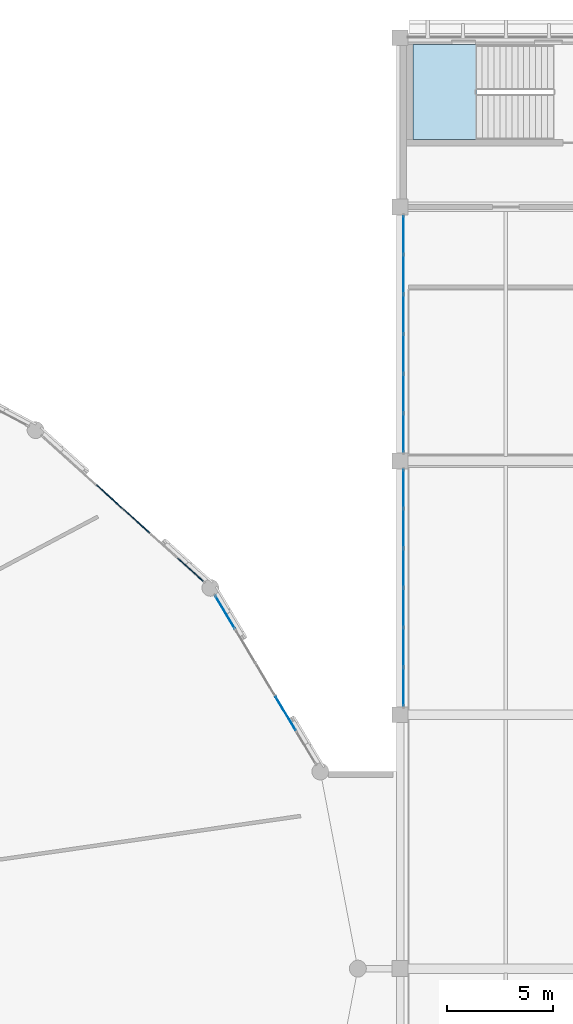
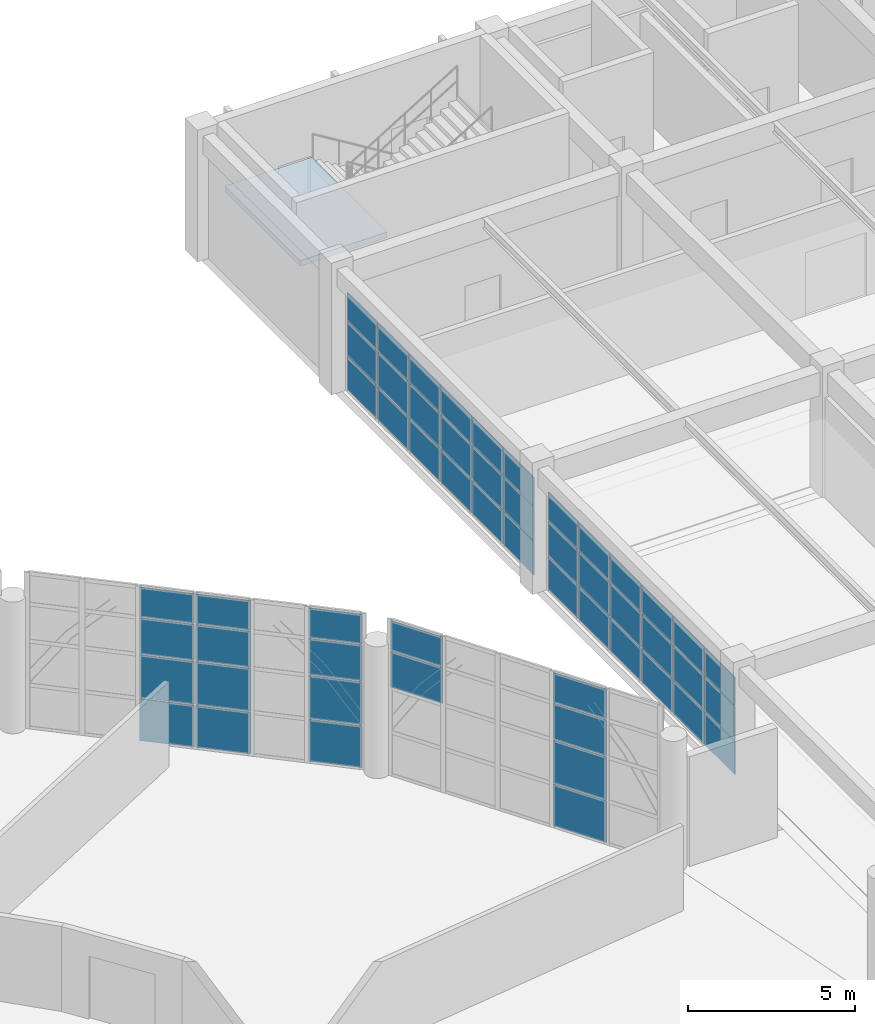
# One storey, part 73 of 109: 54 plates, 1 slab, 5 elements without a shape of their own.
"""IFC4 building model written with IfcOpenShell, lengths in metres."""

from ifc_helpers import new_model, si_unit, direction, frame, origin, origin_2d, place, context, subcontext, project, spatial, polyline, rectangle, outline, extrude, material, layer, layer_set, type_object, element, aggregate, save


model = new_model("IFC4")

# Units and contexts
model_context = context("Model", 3, precision=1e-05, world=origin(), true_north=direction((0.0, 1.0)))
body_context = subcontext(model_context, "Body", "Model", "MODEL_VIEW")
ifc_project = project(units=[si_unit("LENGTHUNIT", "METRE"), si_unit("AREAUNIT", "SQUARE_METRE"), si_unit("VOLUMEUNIT", "CUBIC_METRE"), si_unit("PLANEANGLEUNIT", "RADIAN"), si_unit("MASSUNIT", "GRAM", prefix="KILO")], contexts=[model_context])

# Site, building, storey
site_placement = place(None, origin())
site = spatial("IfcSite", under=ifc_project, at=site_placement, CompositionType="ELEMENT")
building_placement = place(site_placement, origin())
building = spatial("IfcBuilding", under=site, at=building_placement, Name="Kivolera Central Railway Station", CompositionType="ELEMENT")
storey_placement = place(building_placement, frame((0.0, 0.0, 9.60009765625)))
storey = spatial("IfcBuildingStorey", under=building, at=storey_placement, Name="L02", CompositionType="ELEMENT", Elevation=9.60009765625)

# Curtain wall, plates
ifc_material_1 = material(Name="Anodised aluminium", Category="aluminium")
ifc_layer_1 = layer(ifc_material_1, 0.179931640625, Name="Anodised aluminium")
ifc_layer_set_1 = layer_set([ifc_layer_1], Name="Anodised aluminium")
curtain_wall_type_1 = type_object("IfcCurtainWallType", Name="CW-SYS-28", PredefinedType="NOTDEFINED", material=ifc_layer_set_1)
curtain_wall_1_placement = place(storey_placement, origin())
curtain_wall_1 = element("IfcCurtainWall", 1, at=curtain_wall_1_placement, inside=storey, type_object=curtain_wall_type_1, Name="L02 Curtain Wall CW-L02-WEST-J", PredefinedType="NOTDEFINED")
ifc_material_2 = material(Name="Double low-E laminated glass", Category="glass")
ifc_layer_2 = layer(ifc_material_2, 0.030029296875, Name="Double low-E laminated glass")
ifc_layer_set_2 = layer_set([ifc_layer_2], Name="Double low-E laminated glass")
plate_type_1 = type_object("IfcPlateType", Name="CWP-GLZ-2", PredefinedType="CURTAIN_PANEL", material=ifc_layer_set_2)
plate_1_placement = place(storey_placement, frame((118.153076171875, 103.325927734375, 0.057861328125), z_axis=(0.0, 0.0, 1.0), x_axis=(0.0, 1.0, 0.0)))
plate_1 = element("IfcPlate", 2, at=plate_1_placement, type_object=plate_type_1, Name="CW-28 panel 1.1", PredefinedType="CURTAIN_PANEL", context=body_context, shape_type="SweptSolid", body=[
    extrude(rectangle(XDim=1.795654296875, YDim=0.030029296875, at=origin_2d()), origin(), (0.0, 0.0, 1.0), 1.19921875),
])
plate_2_placement = place(storey_placement, frame((118.153076171875, 103.325927734375, 1.30322265625), z_axis=(0.0, 0.0, 1.0), x_axis=(0.0, 1.0, 0.0)))
plate_2 = element("IfcPlate", 3, at=plate_2_placement, type_object=plate_type_1, Name="CW-28 panel 1.2", PredefinedType="CURTAIN_PANEL", context=body_context, shape_type="SweptSolid", body=[
    extrude(rectangle(XDim=1.795654296875, YDim=0.030029296875, at=origin_2d()), origin(), (0.0, 0.0, 1.0), 1.234375),
])
plate_3_placement = place(storey_placement, frame((118.153076171875, 103.325927734375, 2.58349609375), z_axis=(0.0, 0.0, 1.0), x_axis=(0.0, 1.0, 0.0)))
plate_3 = element("IfcPlate", 4, at=plate_3_placement, type_object=plate_type_1, Name="CW-28 panel 1.3", PredefinedType="CURTAIN_PANEL", context=body_context, shape_type="SweptSolid", body=[
    extrude(rectangle(XDim=1.795654296875, YDim=0.030029296875, at=origin_2d()), origin(), (0.0, 0.0, 1.0), 1.016357421875),
])
plate_4_placement = place(storey_placement, frame((118.153076171875, 105.18505859375, 0.057861328125), z_axis=(0.0, 0.0, 1.0), x_axis=(0.0, 1.0, 0.0)))
plate_4 = element("IfcPlate", 5, at=plate_4_placement, type_object=plate_type_1, Name="CW-28 panel 2.1", PredefinedType="CURTAIN_PANEL", context=body_context, shape_type="SweptSolid", body=[
    extrude(rectangle(XDim=1.83056640625, YDim=0.030029296875, at=origin_2d()), origin(), (0.0, 0.0, 1.0), 1.19921875),
])
plate_5_placement = place(storey_placement, frame((118.153076171875, 105.18505859375, 1.30322265625), z_axis=(0.0, 0.0, 1.0), x_axis=(0.0, 1.0, 0.0)))
plate_5 = element("IfcPlate", 6, at=plate_5_placement, type_object=plate_type_1, Name="CW-28 panel 2.2", PredefinedType="CURTAIN_PANEL", context=body_context, shape_type="SweptSolid", body=[
    extrude(rectangle(XDim=1.83056640625, YDim=0.030029296875, at=origin_2d()), origin(), (0.0, 0.0, 1.0), 1.234375),
])
plate_6_placement = place(storey_placement, frame((118.153076171875, 105.18505859375, 2.58349609375), z_axis=(0.0, 0.0, 1.0), x_axis=(0.0, 1.0, 0.0)))
plate_6 = element("IfcPlate", 7, at=plate_6_placement, type_object=plate_type_1, Name="CW-28 panel 2.3", PredefinedType="CURTAIN_PANEL", context=body_context, shape_type="SweptSolid", body=[
    extrude(rectangle(XDim=1.83056640625, YDim=0.030029296875, at=origin_2d()), origin(), (0.0, 0.0, 1.0), 1.016357421875),
])
plate_7_placement = place(storey_placement, frame((118.153076171875, 107.061767578125, 0.057861328125), z_axis=(0.0, 0.0, 1.0), x_axis=(0.0, 1.0, 0.0)))
plate_7 = element("IfcPlate", 8, at=plate_7_placement, type_object=plate_type_1, Name="CW-28 panel 3.1", PredefinedType="CURTAIN_PANEL", context=body_context, shape_type="SweptSolid", body=[
    extrude(rectangle(XDim=1.83056640625, YDim=0.030029296875, at=origin_2d()), origin(), (0.0, 0.0, 1.0), 1.19921875),
])
plate_8_placement = place(storey_placement, frame((118.153076171875, 107.061767578125, 1.30322265625), z_axis=(0.0, 0.0, 1.0), x_axis=(0.0, 1.0, 0.0)))
plate_8 = element("IfcPlate", 9, at=plate_8_placement, type_object=plate_type_1, Name="CW-28 panel 3.2", PredefinedType="CURTAIN_PANEL", context=body_context, shape_type="SweptSolid", body=[
    extrude(rectangle(XDim=1.83056640625, YDim=0.030029296875, at=origin_2d()), origin(), (0.0, 0.0, 1.0), 1.234375),
])
plate_9_placement = place(storey_placement, frame((118.153076171875, 107.061767578125, 2.58349609375), z_axis=(0.0, 0.0, 1.0), x_axis=(0.0, 1.0, 0.0)))
plate_9 = element("IfcPlate", 10, at=plate_9_placement, type_object=plate_type_1, Name="CW-28 panel 3.3", PredefinedType="CURTAIN_PANEL", context=body_context, shape_type="SweptSolid", body=[
    extrude(rectangle(XDim=1.83056640625, YDim=0.030029296875, at=origin_2d()), origin(), (0.0, 0.0, 1.0), 1.016357421875),
])
plate_10_placement = place(storey_placement, frame((118.153076171875, 108.938232421875, 0.057861328125), z_axis=(0.0, 0.0, 1.0), x_axis=(0.0, 1.0, 0.0)))
plate_10 = element("IfcPlate", 11, at=plate_10_placement, type_object=plate_type_1, Name="CW-28 panel 4.1", PredefinedType="CURTAIN_PANEL", context=body_context, shape_type="SweptSolid", body=[
    extrude(rectangle(XDim=1.83056640625, YDim=0.030029296875, at=origin_2d()), origin(), (0.0, 0.0, 1.0), 1.19921875),
])
plate_11_placement = place(storey_placement, frame((118.153076171875, 108.938232421875, 1.30322265625), z_axis=(0.0, 0.0, 1.0), x_axis=(0.0, 1.0, 0.0)))
plate_11 = element("IfcPlate", 12, at=plate_11_placement, type_object=plate_type_1, Name="CW-28 panel 4.2", PredefinedType="CURTAIN_PANEL", context=body_context, shape_type="SweptSolid", body=[
    extrude(rectangle(XDim=1.83056640625, YDim=0.030029296875, at=origin_2d()), origin(), (0.0, 0.0, 1.0), 1.234375),
])
plate_12_placement = place(storey_placement, frame((118.153076171875, 108.938232421875, 2.58349609375), z_axis=(0.0, 0.0, 1.0), x_axis=(0.0, 1.0, 0.0)))
plate_12 = element("IfcPlate", 13, at=plate_12_placement, type_object=plate_type_1, Name="CW-28 panel 4.3", PredefinedType="CURTAIN_PANEL", context=body_context, shape_type="SweptSolid", body=[
    extrude(rectangle(XDim=1.83056640625, YDim=0.030029296875, at=origin_2d()), origin(), (0.0, 0.0, 1.0), 1.016357421875),
])
plate_13_placement = place(storey_placement, frame((118.153076171875, 110.81494140625, 0.057861328125), z_axis=(0.0, 0.0, 1.0), x_axis=(0.0, 1.0, 0.0)))
plate_13 = element("IfcPlate", 14, at=plate_13_placement, type_object=plate_type_1, Name="CW-28 panel 5.1", PredefinedType="CURTAIN_PANEL", context=body_context, shape_type="SweptSolid", body=[
    extrude(rectangle(XDim=1.83056640625, YDim=0.030029296875, at=origin_2d()), origin(), (0.0, 0.0, 1.0), 1.19921875),
])
plate_14_placement = place(storey_placement, frame((118.153076171875, 110.81494140625, 1.30322265625), z_axis=(0.0, 0.0, 1.0), x_axis=(0.0, 1.0, 0.0)))
plate_14 = element("IfcPlate", 15, at=plate_14_placement, type_object=plate_type_1, Name="CW-28 panel 5.2", PredefinedType="CURTAIN_PANEL", context=body_context, shape_type="SweptSolid", body=[
    extrude(rectangle(XDim=1.83056640625, YDim=0.030029296875, at=origin_2d()), origin(), (0.0, 0.0, 1.0), 1.234375),
])
plate_15_placement = place(storey_placement, frame((118.153076171875, 110.81494140625, 2.58349609375), z_axis=(0.0, 0.0, 1.0), x_axis=(0.0, 1.0, 0.0)))
plate_15 = element("IfcPlate", 16, at=plate_15_placement, type_object=plate_type_1, Name="CW-28 panel 5.3", PredefinedType="CURTAIN_PANEL", context=body_context, shape_type="SweptSolid", body=[
    extrude(rectangle(XDim=1.83056640625, YDim=0.030029296875, at=origin_2d()), origin(), (0.0, 0.0, 1.0), 1.016357421875),
])
plate_16_placement = place(storey_placement, frame((118.153076171875, 112.674072265625, 0.057861328125), z_axis=(0.0, 0.0, 1.0), x_axis=(0.0, 1.0, 0.0)))
plate_16 = element("IfcPlate", 17, at=plate_16_placement, type_object=plate_type_1, Name="CW-28 panel 6.1", PredefinedType="CURTAIN_PANEL", context=body_context, shape_type="SweptSolid", body=[
    extrude(rectangle(XDim=1.795654296875, YDim=0.030029296875, at=origin_2d()), origin(), (0.0, 0.0, 1.0), 1.19921875),
])
plate_17_placement = place(storey_placement, frame((118.153076171875, 112.674072265625, 1.30322265625), z_axis=(0.0, 0.0, 1.0), x_axis=(0.0, 1.0, 0.0)))
plate_17 = element("IfcPlate", 18, at=plate_17_placement, type_object=plate_type_1, Name="CW-28 panel 6.2", PredefinedType="CURTAIN_PANEL", context=body_context, shape_type="SweptSolid", body=[
    extrude(rectangle(XDim=1.795654296875, YDim=0.030029296875, at=origin_2d()), origin(), (0.0, 0.0, 1.0), 1.234375),
])
plate_18_placement = place(storey_placement, frame((118.153076171875, 112.674072265625, 2.58349609375), z_axis=(0.0, 0.0, 1.0), x_axis=(0.0, 1.0, 0.0)))
plate_18 = element("IfcPlate", 19, at=plate_18_placement, type_object=plate_type_1, Name="CW-28 panel 6.3", PredefinedType="CURTAIN_PANEL", context=body_context, shape_type="SweptSolid", body=[
    extrude(rectangle(XDim=1.795654296875, YDim=0.030029296875, at=origin_2d()), origin(), (0.0, 0.0, 1.0), 1.016357421875),
])
aggregate(curtain_wall_1, [plate_1, plate_2, plate_3, plate_4, plate_5, plate_6, plate_7, plate_8, plate_9, plate_10, plate_11, plate_12, plate_13, plate_14, plate_15, plate_16, plate_17, plate_18])

curtain_wall_2_placement = place(storey_placement, origin())
curtain_wall_2 = element("IfcCurtainWall", 20, at=curtain_wall_2_placement, inside=storey, type_object=curtain_wall_type_1, Name="L02 Curtain Wall CW-L02-WEST-K", PredefinedType="NOTDEFINED")
plate_19_placement = place(storey_placement, frame((118.153076171875, 115.325927734375, 0.057861328125), z_axis=(0.0, 0.0, 1.0), x_axis=(0.0, 1.0, 0.0)))
plate_19 = element("IfcPlate", 21, at=plate_19_placement, type_object=plate_type_1, Name="CW-28 panel 1.1", PredefinedType="CURTAIN_PANEL", context=body_context, shape_type="SweptSolid", body=[
    extrude(rectangle(XDim=1.795654296875, YDim=0.030029296875, at=origin_2d()), origin(), (0.0, 0.0, 1.0), 1.19921875),
])
plate_20_placement = place(storey_placement, frame((118.153076171875, 115.325927734375, 1.30322265625), z_axis=(0.0, 0.0, 1.0), x_axis=(0.0, 1.0, 0.0)))
plate_20 = element("IfcPlate", 22, at=plate_20_placement, type_object=plate_type_1, Name="CW-28 panel 1.2", PredefinedType="CURTAIN_PANEL", context=body_context, shape_type="SweptSolid", body=[
    extrude(rectangle(XDim=1.795654296875, YDim=0.030029296875, at=origin_2d()), origin(), (0.0, 0.0, 1.0), 1.234375),
])
plate_21_placement = place(storey_placement, frame((118.153076171875, 115.325927734375, 2.58349609375), z_axis=(0.0, 0.0, 1.0), x_axis=(0.0, 1.0, 0.0)))
plate_21 = element("IfcPlate", 23, at=plate_21_placement, type_object=plate_type_1, Name="CW-28 panel 1.3", PredefinedType="CURTAIN_PANEL", context=body_context, shape_type="SweptSolid", body=[
    extrude(rectangle(XDim=1.795654296875, YDim=0.030029296875, at=origin_2d()), origin(), (0.0, 0.0, 1.0), 1.016357421875),
])
plate_22_placement = place(storey_placement, frame((118.153076171875, 117.18505859375, 0.057861328125), z_axis=(0.0, 0.0, 1.0), x_axis=(0.0, 1.0, 0.0)))
plate_22 = element("IfcPlate", 24, at=plate_22_placement, type_object=plate_type_1, Name="CW-28 panel 2.1", PredefinedType="CURTAIN_PANEL", context=body_context, shape_type="SweptSolid", body=[
    extrude(rectangle(XDim=1.83056640625, YDim=0.030029296875, at=origin_2d()), origin(), (0.0, 0.0, 1.0), 1.19921875),
])
plate_23_placement = place(storey_placement, frame((118.153076171875, 117.18505859375, 1.30322265625), z_axis=(0.0, 0.0, 1.0), x_axis=(0.0, 1.0, 0.0)))
plate_23 = element("IfcPlate", 25, at=plate_23_placement, type_object=plate_type_1, Name="CW-28 panel 2.2", PredefinedType="CURTAIN_PANEL", context=body_context, shape_type="SweptSolid", body=[
    extrude(rectangle(XDim=1.83056640625, YDim=0.030029296875, at=origin_2d()), origin(), (0.0, 0.0, 1.0), 1.234375),
])
plate_24_placement = place(storey_placement, frame((118.153076171875, 117.18505859375, 2.58349609375), z_axis=(0.0, 0.0, 1.0), x_axis=(0.0, 1.0, 0.0)))
plate_24 = element("IfcPlate", 26, at=plate_24_placement, type_object=plate_type_1, Name="CW-28 panel 2.3", PredefinedType="CURTAIN_PANEL", context=body_context, shape_type="SweptSolid", body=[
    extrude(rectangle(XDim=1.83056640625, YDim=0.030029296875, at=origin_2d()), origin(), (0.0, 0.0, 1.0), 1.016357421875),
])
plate_25_placement = place(storey_placement, frame((118.153076171875, 119.061767578125, 0.057861328125), z_axis=(0.0, 0.0, 1.0), x_axis=(0.0, 1.0, 0.0)))
plate_25 = element("IfcPlate", 27, at=plate_25_placement, type_object=plate_type_1, Name="CW-28 panel 3.1", PredefinedType="CURTAIN_PANEL", context=body_context, shape_type="SweptSolid", body=[
    extrude(rectangle(XDim=1.83056640625, YDim=0.030029296875, at=origin_2d()), origin(), (0.0, 0.0, 1.0), 1.19921875),
])
plate_26_placement = place(storey_placement, frame((118.153076171875, 119.061767578125, 1.30322265625), z_axis=(0.0, 0.0, 1.0), x_axis=(0.0, 1.0, 0.0)))
plate_26 = element("IfcPlate", 28, at=plate_26_placement, type_object=plate_type_1, Name="CW-28 panel 3.2", PredefinedType="CURTAIN_PANEL", context=body_context, shape_type="SweptSolid", body=[
    extrude(rectangle(XDim=1.83056640625, YDim=0.030029296875, at=origin_2d()), origin(), (0.0, 0.0, 1.0), 1.234375),
])
plate_27_placement = place(storey_placement, frame((118.153076171875, 119.061767578125, 2.58349609375), z_axis=(0.0, 0.0, 1.0), x_axis=(0.0, 1.0, 0.0)))
plate_27 = element("IfcPlate", 29, at=plate_27_placement, type_object=plate_type_1, Name="CW-28 panel 3.3", PredefinedType="CURTAIN_PANEL", context=body_context, shape_type="SweptSolid", body=[
    extrude(rectangle(XDim=1.83056640625, YDim=0.030029296875, at=origin_2d()), origin(), (0.0, 0.0, 1.0), 1.016357421875),
])
plate_28_placement = place(storey_placement, frame((118.153076171875, 120.938232421875, 0.057861328125), z_axis=(0.0, 0.0, 1.0), x_axis=(0.0, 1.0, 0.0)))
plate_28 = element("IfcPlate", 30, at=plate_28_placement, type_object=plate_type_1, Name="CW-28 panel 4.1", PredefinedType="CURTAIN_PANEL", context=body_context, shape_type="SweptSolid", body=[
    extrude(rectangle(XDim=1.83056640625, YDim=0.030029296875, at=origin_2d()), origin(), (0.0, 0.0, 1.0), 1.19921875),
])
plate_29_placement = place(storey_placement, frame((118.153076171875, 120.938232421875, 1.30322265625), z_axis=(0.0, 0.0, 1.0), x_axis=(0.0, 1.0, 0.0)))
plate_29 = element("IfcPlate", 31, at=plate_29_placement, type_object=plate_type_1, Name="CW-28 panel 4.2", PredefinedType="CURTAIN_PANEL", context=body_context, shape_type="SweptSolid", body=[
    extrude(rectangle(XDim=1.83056640625, YDim=0.030029296875, at=origin_2d()), origin(), (0.0, 0.0, 1.0), 1.234375),
])
plate_30_placement = place(storey_placement, frame((118.153076171875, 120.938232421875, 2.58349609375), z_axis=(0.0, 0.0, 1.0), x_axis=(0.0, 1.0, 0.0)))
plate_30 = element("IfcPlate", 32, at=plate_30_placement, type_object=plate_type_1, Name="CW-28 panel 4.3", PredefinedType="CURTAIN_PANEL", context=body_context, shape_type="SweptSolid", body=[
    extrude(rectangle(XDim=1.83056640625, YDim=0.030029296875, at=origin_2d()), origin(), (0.0, 0.0, 1.0), 1.016357421875),
])
plate_31_placement = place(storey_placement, frame((118.153076171875, 122.81494140625, 0.057861328125), z_axis=(0.0, 0.0, 1.0), x_axis=(0.0, 1.0, 0.0)))
plate_31 = element("IfcPlate", 33, at=plate_31_placement, type_object=plate_type_1, Name="CW-28 panel 5.1", PredefinedType="CURTAIN_PANEL", context=body_context, shape_type="SweptSolid", body=[
    extrude(rectangle(XDim=1.83056640625, YDim=0.030029296875, at=origin_2d()), origin(), (0.0, 0.0, 1.0), 1.19921875),
])
plate_32_placement = place(storey_placement, frame((118.153076171875, 122.81494140625, 1.30322265625), z_axis=(0.0, 0.0, 1.0), x_axis=(0.0, 1.0, 0.0)))
plate_32 = element("IfcPlate", 34, at=plate_32_placement, type_object=plate_type_1, Name="CW-28 panel 5.2", PredefinedType="CURTAIN_PANEL", context=body_context, shape_type="SweptSolid", body=[
    extrude(rectangle(XDim=1.83056640625, YDim=0.030029296875, at=origin_2d()), origin(), (0.0, 0.0, 1.0), 1.234375),
])
plate_33_placement = place(storey_placement, frame((118.153076171875, 122.81494140625, 2.58349609375), z_axis=(0.0, 0.0, 1.0), x_axis=(0.0, 1.0, 0.0)))
plate_33 = element("IfcPlate", 35, at=plate_33_placement, type_object=plate_type_1, Name="CW-28 panel 5.3", PredefinedType="CURTAIN_PANEL", context=body_context, shape_type="SweptSolid", body=[
    extrude(rectangle(XDim=1.83056640625, YDim=0.030029296875, at=origin_2d()), origin(), (0.0, 0.0, 1.0), 1.016357421875),
])
plate_34_placement = place(storey_placement, frame((118.153076171875, 124.674072265625, 0.057861328125), z_axis=(0.0, 0.0, 1.0), x_axis=(0.0, 1.0, 0.0)))
plate_34 = element("IfcPlate", 36, at=plate_34_placement, type_object=plate_type_1, Name="CW-28 panel 6.1", PredefinedType="CURTAIN_PANEL", context=body_context, shape_type="SweptSolid", body=[
    extrude(rectangle(XDim=1.795654296875, YDim=0.030029296875, at=origin_2d()), origin(), (0.0, 0.0, 1.0), 1.19921875),
])
plate_35_placement = place(storey_placement, frame((118.153076171875, 124.674072265625, 1.30322265625), z_axis=(0.0, 0.0, 1.0), x_axis=(0.0, 1.0, 0.0)))
plate_35 = element("IfcPlate", 37, at=plate_35_placement, type_object=plate_type_1, Name="CW-28 panel 6.2", PredefinedType="CURTAIN_PANEL", context=body_context, shape_type="SweptSolid", body=[
    extrude(rectangle(XDim=1.795654296875, YDim=0.030029296875, at=origin_2d()), origin(), (0.0, 0.0, 1.0), 1.234375),
])
plate_36_placement = place(storey_placement, frame((118.153076171875, 124.674072265625, 2.58349609375), z_axis=(0.0, 0.0, 1.0), x_axis=(0.0, 1.0, 0.0)))
plate_36 = element("IfcPlate", 38, at=plate_36_placement, type_object=plate_type_1, Name="CW-28 panel 6.3", PredefinedType="CURTAIN_PANEL", context=body_context, shape_type="SweptSolid", body=[
    extrude(rectangle(XDim=1.795654296875, YDim=0.030029296875, at=origin_2d()), origin(), (0.0, 0.0, 1.0), 1.016357421875),
])
aggregate(curtain_wall_2, [plate_19, plate_20, plate_21, plate_22, plate_23, plate_24, plate_25, plate_26, plate_27, plate_28, plate_29, plate_30, plate_31, plate_32, plate_33, plate_34, plate_35, plate_36])

ifc_layer_3 = layer(ifc_material_1, 0.179931640625, Name="Anodised aluminium")
ifc_layer_set_3 = layer_set([ifc_layer_3], Name="Anodised aluminium")
curtain_wall_type_2 = type_object("IfcCurtainWallType", Name="CW-SYS-03", PredefinedType="NOTDEFINED", material=ifc_layer_set_3)
curtain_wall_3_placement = place(storey_placement, origin())
curtain_wall_3 = element("IfcCurtainWall", 39, at=curtain_wall_3_placement, inside=storey, type_object=curtain_wall_type_2, Name="L02 Curtain Wall CW-L02-OVL-01", PredefinedType="NOTDEFINED")
ifc_layer_4 = layer(ifc_material_2, 0.0380859375, Name="Double low-E laminated glass")
ifc_layer_set_4 = layer_set([ifc_layer_4], Name="Double low-E laminated glass")
plate_type_2 = type_object("IfcPlateType", Name="CWP-GLZ-4", PredefinedType="CURTAIN_PANEL", material=ifc_layer_set_4)
plate_37_placement = place(storey_placement, frame((109.7255859375, 106.84228515625, 3.22314453125), z_axis=(0.0, 0.0, 1.0), x_axis=(0.513453894052, -0.858117182372, 0.0)))
plate_37 = element("IfcPlate", 40, at=plate_37_placement, type_object=plate_type_2, Name="CW-03 panel 1.3", PredefinedType="CURTAIN_PANEL", context=body_context, shape_type="SweptSolid", body=[
    extrude(rectangle(XDim=1.782958984375, YDim=0.0380859375, at=origin_2d()), origin(), (0.0, 0.0, 1.0), 1.303955078125),
])
plate_38_placement = place(storey_placement, frame((109.7255859375, 106.84228515625, 4.57275390625), z_axis=(0.0, 0.0, 1.0), x_axis=(0.513453894052, -0.858117182372, 0.0)))
plate_38 = element("IfcPlate", 41, at=plate_38_placement, type_object=plate_type_2, Name="CW-03 panel 1.4", PredefinedType="CURTAIN_PANEL", context=body_context, shape_type="SweptSolid", body=[
    extrude(rectangle(XDim=1.782958984375, YDim=0.0380859375, at=origin_2d()), origin(), (0.0, 0.0, 1.0), 1.069091796875),
])
plate_39_placement = place(storey_placement, frame((112.58740234375, 102.05908203125, 0.057861328125), z_axis=(0.0, 0.0, 1.0), x_axis=(0.513453894052, -0.858117182372, 0.0)))
plate_39 = element("IfcPlate", 42, at=plate_39_placement, type_object=plate_type_2, Name="CW-03 panel 4.1", PredefinedType="CURTAIN_PANEL", context=body_context, shape_type="SweptSolid", body=[
    extrude(rectangle(XDim=1.81787109375, YDim=0.0380859375, at=origin_2d()), origin(), (0.0, 0.0, 1.0), 1.51904296875),
])
plate_40_placement = place(storey_placement, frame((112.58740234375, 102.05908203125, 1.623046875), z_axis=(0.0, 0.0, 1.0), x_axis=(0.513453894052, -0.858117182372, 0.0)))
plate_40 = element("IfcPlate", 43, at=plate_40_placement, type_object=plate_type_2, Name="CW-03 panel 4.2", PredefinedType="CURTAIN_PANEL", context=body_context, shape_type="SweptSolid", body=[
    extrude(rectangle(XDim=1.81787109375, YDim=0.0380859375, at=origin_2d()), origin(), (0.0, 0.0, 1.0), 1.553955078125),
])
plate_41_placement = place(storey_placement, frame((112.58740234375, 102.05908203125, 3.22314453125), z_axis=(0.0, 0.0, 1.0), x_axis=(0.513453894052, -0.858117182372, 0.0)))
plate_41 = element("IfcPlate", 44, at=plate_41_placement, type_object=plate_type_2, Name="CW-03 panel 4.3", PredefinedType="CURTAIN_PANEL", context=body_context, shape_type="SweptSolid", body=[
    extrude(rectangle(XDim=1.81787109375, YDim=0.0380859375, at=origin_2d()), origin(), (0.0, 0.0, 1.0), 1.303955078125),
])
plate_42_placement = place(storey_placement, frame((112.58740234375, 102.05908203125, 4.57275390625), z_axis=(0.0, 0.0, 1.0), x_axis=(0.513453894052, -0.858117182372, 0.0)))
plate_42 = element("IfcPlate", 45, at=plate_42_placement, type_object=plate_type_2, Name="CW-03 panel 4.4", PredefinedType="CURTAIN_PANEL", context=body_context, shape_type="SweptSolid", body=[
    extrude(rectangle(XDim=1.81787109375, YDim=0.0380859375, at=origin_2d()), origin(), (0.0, 0.0, 1.0), 1.069091796875),
])
aggregate(curtain_wall_3, [plate_37, plate_38, plate_39, plate_40, plate_41, plate_42])

ifc_layer_5 = layer(ifc_material_1, 0.179931640625, Name="Anodised aluminium")
ifc_layer_set_5 = layer_set([ifc_layer_5], Name="Anodised aluminium")
curtain_wall_type_3 = type_object("IfcCurtainWallType", Name="CW-SYS-06", PredefinedType="NOTDEFINED", material=ifc_layer_set_5)
curtain_wall_4_placement = place(storey_placement, origin())
curtain_wall_4 = element("IfcCurtainWall", 46, at=curtain_wall_4_placement, inside=storey, type_object=curtain_wall_type_3, Name="L02 Curtain Wall CW-L02-OVL-02", PredefinedType="NOTDEFINED")
ifc_layer_6 = layer(ifc_material_2, 0.0419921875, Name="Double low-E laminated glass")
ifc_layer_set_6 = layer_set([ifc_layer_6], Name="Double low-E laminated glass")
plate_type_3 = type_object("IfcPlateType", Name="CWP-GLZ-5", PredefinedType="CURTAIN_PANEL", material=ifc_layer_set_6)
plate_43_placement = place(storey_placement, frame((104.262451171875, 112.3046875, 0.057861328125), z_axis=(0.0, 0.0, 1.0), x_axis=(0.742431873669, -0.669921572246, 0.0)))
plate_43 = element("IfcPlate", 47, at=plate_43_placement, type_object=plate_type_3, Name="CW-06 panel 3.1", PredefinedType="CURTAIN_PANEL", context=body_context, shape_type="SweptSolid", body=[
    extrude(rectangle(XDim=1.675537109375, YDim=0.0419921875, at=origin_2d()), origin(), (0.0, 0.0, 1.0), 1.51904296875),
])
plate_44_placement = place(storey_placement, frame((104.262451171875, 112.3046875, 1.623046875), z_axis=(0.0, 0.0, 1.0), x_axis=(0.742431873669, -0.669921572246, 0.0)))
plate_44 = element("IfcPlate", 48, at=plate_44_placement, type_object=plate_type_3, Name="CW-06 panel 3.2", PredefinedType="CURTAIN_PANEL", context=body_context, shape_type="SweptSolid", body=[
    extrude(rectangle(XDim=1.675537109375, YDim=0.0419921875, at=origin_2d()), origin(), (0.0, 0.0, 1.0), 1.553955078125),
])
plate_45_placement = place(storey_placement, frame((104.262451171875, 112.3046875, 3.22314453125), z_axis=(0.0, 0.0, 1.0), x_axis=(0.742431873669, -0.669921572246, 0.0)))
plate_45 = element("IfcPlate", 49, at=plate_45_placement, type_object=plate_type_3, Name="CW-06 panel 3.3", PredefinedType="CURTAIN_PANEL", context=body_context, shape_type="SweptSolid", body=[
    extrude(rectangle(XDim=1.675537109375, YDim=0.0419921875, at=origin_2d()), origin(), (0.0, 0.0, 1.0), 1.303955078125),
])
plate_46_placement = place(storey_placement, frame((104.262451171875, 112.3046875, 4.57275390625), z_axis=(0.0, 0.0, 1.0), x_axis=(0.742431873669, -0.669921572246, 0.0)))
plate_46 = element("IfcPlate", 50, at=plate_46_placement, type_object=plate_type_3, Name="CW-06 panel 3.4", PredefinedType="CURTAIN_PANEL", context=body_context, shape_type="SweptSolid", body=[
    extrude(rectangle(XDim=1.675537109375, YDim=0.0419921875, at=origin_2d()), origin(), (0.0, 0.0, 1.0), 1.069091796875),
])
plate_47_placement = place(storey_placement, frame((105.54052734375, 111.1513671875, 0.057861328125), z_axis=(0.0, 0.0, 1.0), x_axis=(0.742431873669, -0.669921572246, 0.0)))
plate_47 = element("IfcPlate", 51, at=plate_47_placement, type_object=plate_type_3, Name="CW-06 panel 4.1", PredefinedType="CURTAIN_PANEL", context=body_context, shape_type="SweptSolid", body=[
    extrude(rectangle(XDim=1.675537109375, YDim=0.0419921875, at=origin_2d()), origin(), (0.0, 0.0, 1.0), 1.51904296875),
])
plate_48_placement = place(storey_placement, frame((105.54052734375, 111.1513671875, 1.623046875), z_axis=(0.0, 0.0, 1.0), x_axis=(0.742431873669, -0.669921572246, 0.0)))
plate_48 = element("IfcPlate", 52, at=plate_48_placement, type_object=plate_type_3, Name="CW-06 panel 4.2", PredefinedType="CURTAIN_PANEL", context=body_context, shape_type="SweptSolid", body=[
    extrude(rectangle(XDim=1.675537109375, YDim=0.0419921875, at=origin_2d()), origin(), (0.0, 0.0, 1.0), 1.553955078125),
])
plate_49_placement = place(storey_placement, frame((105.54052734375, 111.1513671875, 3.22314453125), z_axis=(0.0, 0.0, 1.0), x_axis=(0.742431873669, -0.669921572246, 0.0)))
plate_49 = element("IfcPlate", 53, at=plate_49_placement, type_object=plate_type_3, Name="CW-06 panel 4.3", PredefinedType="CURTAIN_PANEL", context=body_context, shape_type="SweptSolid", body=[
    extrude(rectangle(XDim=1.675537109375, YDim=0.0419921875, at=origin_2d()), origin(), (0.0, 0.0, 1.0), 1.303955078125),
])
plate_50_placement = place(storey_placement, frame((105.54052734375, 111.1513671875, 4.57275390625), z_axis=(0.0, 0.0, 1.0), x_axis=(0.742431873669, -0.669921572246, 0.0)))
plate_50 = element("IfcPlate", 54, at=plate_50_placement, type_object=plate_type_3, Name="CW-06 panel 4.4", PredefinedType="CURTAIN_PANEL", context=body_context, shape_type="SweptSolid", body=[
    extrude(rectangle(XDim=1.675537109375, YDim=0.0419921875, at=origin_2d()), origin(), (0.0, 0.0, 1.0), 1.069091796875),
])
plate_51_placement = place(storey_placement, frame((108.083984375, 108.8564453125, 0.057861328125), z_axis=(0.0, 0.0, 1.0), x_axis=(0.742431873669, -0.669921572246, 0.0)))
plate_51 = element("IfcPlate", 55, at=plate_51_placement, type_object=plate_type_3, Name="CW-06 panel 6.1", PredefinedType="CURTAIN_PANEL", context=body_context, shape_type="SweptSolid", body=[
    extrude(rectangle(XDim=1.640625, YDim=0.0419921875, at=origin_2d()), origin(), (0.0, 0.0, 1.0), 1.51904296875),
])
plate_52_placement = place(storey_placement, frame((108.083984375, 108.8564453125, 1.623046875), z_axis=(0.0, 0.0, 1.0), x_axis=(0.742431873669, -0.669921572246, 0.0)))
plate_52 = element("IfcPlate", 56, at=plate_52_placement, type_object=plate_type_3, Name="CW-06 panel 6.2", PredefinedType="CURTAIN_PANEL", context=body_context, shape_type="SweptSolid", body=[
    extrude(rectangle(XDim=1.640625, YDim=0.0419921875, at=origin_2d()), origin(), (0.0, 0.0, 1.0), 1.553955078125),
])
plate_53_placement = place(storey_placement, frame((108.083984375, 108.8564453125, 3.22314453125), z_axis=(0.0, 0.0, 1.0), x_axis=(0.742431873669, -0.669921572246, 0.0)))
plate_53 = element("IfcPlate", 57, at=plate_53_placement, type_object=plate_type_3, Name="CW-06 panel 6.3", PredefinedType="CURTAIN_PANEL", context=body_context, shape_type="SweptSolid", body=[
    extrude(rectangle(XDim=1.640625, YDim=0.0419921875, at=origin_2d()), origin(), (0.0, 0.0, 1.0), 1.303955078125),
])
plate_54_placement = place(storey_placement, frame((108.083984375, 108.8564453125, 4.57275390625), z_axis=(0.0, 0.0, 1.0), x_axis=(0.742431873669, -0.669921572246, 0.0)))
plate_54 = element("IfcPlate", 58, at=plate_54_placement, type_object=plate_type_3, Name="CW-06 panel 6.4", PredefinedType="CURTAIN_PANEL", context=body_context, shape_type="SweptSolid", body=[
    extrude(rectangle(XDim=1.640625, YDim=0.0419921875, at=origin_2d()), origin(), (0.0, 0.0, 1.0), 1.069091796875),
])
aggregate(curtain_wall_4, [plate_43, plate_44, plate_45, plate_46, plate_47, plate_48, plate_49, plate_50, plate_51, plate_52, plate_53, plate_54])

# Stair, slab
ifc_material_3 = material(Name="Concrete C40/50", Category="concrete")
stair_type = type_object("IfcStairType", Name="STR-2160-28", PredefinedType="HALF_TURN_STAIR", material=ifc_material_3)
stair_placement = place(storey_placement, origin())
stair = element("IfcStair", 59, at=stair_placement, inside=storey, type_object=stair_type, Name="L02 Protected Exit Stair ST1", PredefinedType="HALF_TURN_STAIR")
ifc_layer_7 = layer(ifc_material_3, 0.199951171875, Name="Concrete C40/50")
ifc_layer_set_7 = layer_set([ifc_layer_7], Name="Concrete C40/50")
slab_type = type_object("IfcSlabType", Name="SLB-LND-200", PredefinedType="LANDING", material=ifc_layer_set_7)
slab_placement = place(storey_placement, frame((0.0, 0.0, 2.199951171875)))
slab = element("IfcSlab", 60, at=slab_placement, type_object=slab_type, Name="ST1 landing 1", PredefinedType="LANDING", context=body_context, shape_type="SweptSolid", body=[
    extrude(outline(polyline([(121.60009765625, 133.679931640625), (118.60009765625, 133.679931640625), (118.60009765625, 129.179931640625), (121.60009765625, 129.179931640625), (121.60009765625, 133.679931640625)])), origin(), (0.0, 0.0, 1.0), 0.199951171875),
])
aggregate(stair, [slab])

save(model, "model.ifc")
